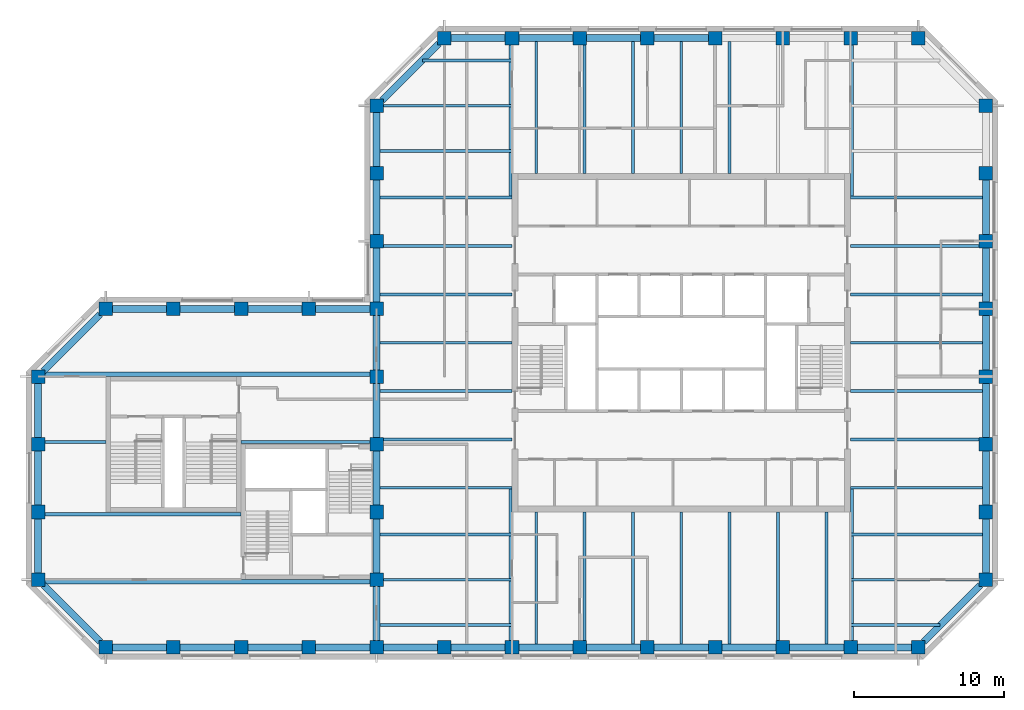
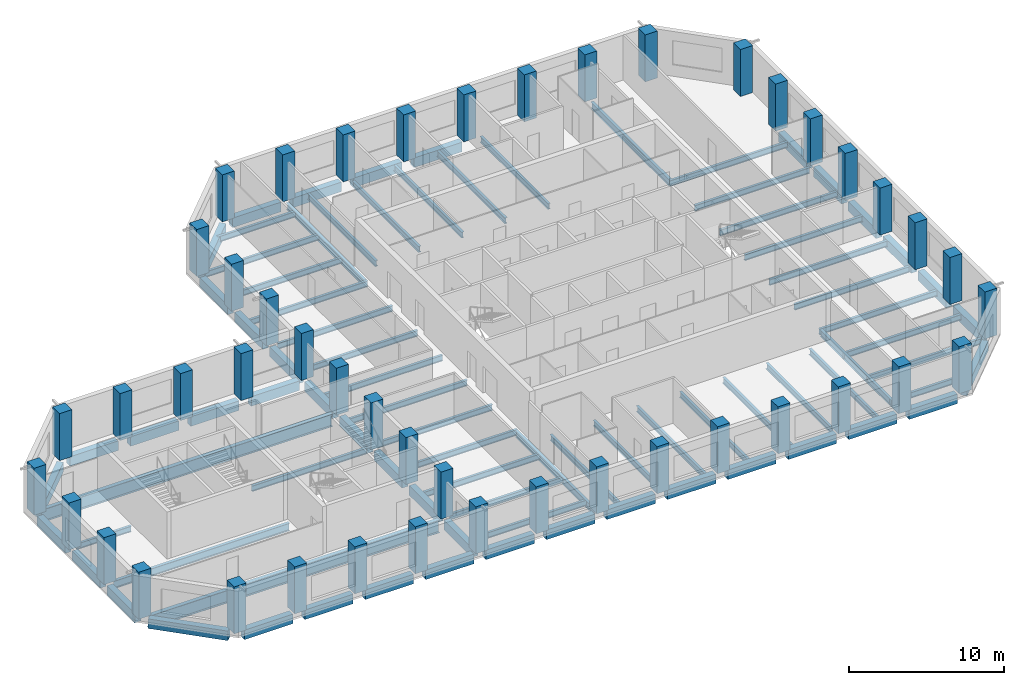
# One storey, part 1 of 9: 85 beams, 45 columns.
"""IFC4 building model written with IfcOpenShell, lengths in metres."""

from ifc_helpers import new_model, si_unit, direction, frame, origin, origin_2d, place, context, subcontext, project, spatial, rectangle, i_section, extrude, material, material_profile, profile_set, type_object, element, save


model = new_model("IFC4")

# Units and contexts
model_context = context("Model", 3, precision=1e-05, world=origin(), true_north=direction((0.0, 1.0)))
body_context = subcontext(model_context, "Body", "Model", "MODEL_VIEW")
ifc_project = project(units=[si_unit("LENGTHUNIT", "METRE"), si_unit("AREAUNIT", "SQUARE_METRE"), si_unit("VOLUMEUNIT", "CUBIC_METRE"), si_unit("PLANEANGLEUNIT", "RADIAN"), si_unit("MASSUNIT", "GRAM", prefix="KILO")], contexts=[model_context])

# Site, building, storey
site_placement = place(None, origin())
site = spatial("IfcSite", under=ifc_project, at=site_placement, CompositionType="ELEMENT")
building_placement = place(site_placement, origin())
building = spatial("IfcBuilding", under=site, at=building_placement, Name="Quoin Convention Tower", CompositionType="ELEMENT")
storey_placement = place(building_placement, frame((0.0, 0.0, 155.10009765625)))
storey = spatial("IfcBuildingStorey", under=building, at=storey_placement, Name="L40", CompositionType="ELEMENT", Elevation=155.10009765625)

# Columns
ifc_material_1 = material(Name="Concrete C50", Category="concrete")
ifc_material_profile_1 = material_profile(ifc_material_1, rectangle(XDim=0.89990234375, YDim=0.89990234375, at=origin_2d()), Name="RC 900x900")
ifc_profile_set_1 = profile_set([ifc_material_profile_1], Name="Concrete C50")
column_type = type_object("IfcColumnType", Name="RC 900x900 C50", PredefinedType="COLUMN", material=ifc_profile_set_1)
for number, where, z_axis, x_axis, name in (
    (1, (18.0, 40.5, 0.0), (0.0, 0.0, 1.0), (1.0, 0.0, 0.0), "col-L40-18000_40500"),
    (2, (22.5, 40.5, 0.0), (0.0, 0.0, 1.0), (1.0, 0.0, 0.0), "col-L40-22500_40500"),
    (3, (27.0, 40.5, 0.0), (0.0, 0.0, 1.0), (1.0, 0.0, 0.0), "col-L40-27000_40500"),
    (4, (31.5, 40.5, 0.0), (0.0, 0.0, 1.0), (1.0, 0.0, 0.0), "col-L40-31500_40500"),
    (5, (36.0, 40.5, 0.0), (0.0, 0.0, 1.0), (1.0, 0.0, 0.0), "col-L40-36000_40500"),
    (6, (40.5, 40.5, 0.0), (0.0, 0.0, 1.0), (1.0, 0.0, 0.0), "col-L40-40500_40500"),
    (7, (45.0, 40.5, 0.0), (0.0, 0.0, 1.0), (1.0, 0.0, 0.0), "col-L40-45000_40500"),
    (8, (49.5, 40.5, 0.0), (0.0, 0.0, 1.0), (1.0, 0.0, 0.0), "col-L40-49500_40500"),
    (9, (54.0, 40.5, 0.0), (0.0, 0.0, 1.0), (1.0, 0.0, 0.0), "col-L40-54000_40500"),
    (10, (58.5, 40.5, 0.0), (0.0, 0.0, 1.0), (1.0, 0.0, 0.0), "col-L40-58500_40500"),
    (11, (63.0, 40.5, 0.0), (0.0, 0.0, 1.0), (1.0, 0.0, 0.0), "col-L40-63000_40500"),
    (12, (67.5, 40.5, 0.0), (0.0, 0.0, 1.0), (1.0, 0.0, 0.0), "col-L40-67500_40500"),
    (13, (72.0, 40.5, 0.0), (0.0, 0.0, 1.0), (1.0, 0.0, 0.0), "col-L40-72000_40500"),
    (14, (13.5, 45.0, 0.0), (0.0, 0.0, 1.0), (1.0, 0.0, 0.0), "col-L40-13500_45000"),
    (15, (36.0, 45.0, 0.0), (0.0, 0.0, 1.0), (1.0, 0.0, 0.0), "web-L40-36000_45000"),
    (16, (76.5, 45.0, 0.0), (0.0, 0.0, 1.0), (1.0, 0.0, 0.0), "col-L40-76500_45000"),
    (17, (13.5, 49.5, 0.0), (0.0, 0.0, 1.0), (1.0, 0.0, 0.0), "col-L40-13500_49500"),
    (18, (36.0, 49.5, 0.0), (0.0, 0.0, 1.0), (1.0, 0.0, 0.0), "web-L40-36000_49500"),
    (19, (76.5, 49.5, 0.0), (0.0, 0.0, 1.0), (1.0, 0.0, 0.0), "col-L40-76500_49500"),
    (20, (13.5, 54.0, 0.0), (0.0, 0.0, 1.0), (1.0, 0.0, 0.0), "col-L40-13500_54000"),
    (21, (36.0, 54.0, 0.0), (0.0, 0.0, 1.0), (1.0, 0.0, 0.0), "web-L40-36000_54000"),
    (22, (76.5, 54.0, 0.0), (0.0, 0.0, 1.0), (1.0, 0.0, 0.0), "col-L40-76500_54000"),
    (23, (13.5, 58.5, 0.0), (0.0, 0.0, 1.0), (1.0, 0.0, 0.0), "col-L40-13500_58500"),
    (24, (36.0, 58.5, 0.0), (0.0, 0.0, 1.0), (1.0, 0.0, 0.0), "web-L40-36000_58500"),
    (25, (76.5, 58.5, 0.0), (0.0, 0.0, 1.0), (1.0, 0.0, 0.0), "col-L40-76500_58500"),
    (26, (18.0, 63.0, 0.0), (0.0, 0.0, 1.0), (1.0, 0.0, 0.0), "col-L40-18000_63000"),
    (27, (22.5, 63.0, 0.0), (0.0, 0.0, 1.0), (1.0, 0.0, 0.0), "col-L40-22500_63000"),
    (28, (27.0, 63.0, 0.0), (0.0, 0.0, 1.0), (1.0, 0.0, 0.0), "col-L40-27000_63000"),
    (29, (31.5, 63.0, 0.0), (0.0, 0.0, 1.0), (1.0, 0.0, 0.0), "col-L40-31500_63000"),
    (30, (36.0, 63.0, 0.0), (0.0, 0.0, 1.0), (1.0, 0.0, 0.0), "col-L40-36000_63000"),
    (31, (76.5, 63.0, 0.0), (0.0, 0.0, 1.0), (1.0, 0.0, 0.0), "col-L40-76500_63000"),
    (32, (36.0, 67.5, 0.0), (0.0, 0.0, 1.0), (1.0, 0.0, 0.0), "col-L40-36000_67500"),
    (33, (76.5, 67.5, 0.0), (0.0, 0.0, 1.0), (1.0, 0.0, 0.0), "col-L40-76500_67500"),
    (34, (36.0, 72.0, 0.0), (0.0, 0.0, 1.0), (1.0, 0.0, 0.0), "col-L40-36000_72000"),
    (35, (76.5, 72.0, 0.0), (0.0, 0.0, 1.0), (1.0, 0.0, 0.0), "col-L40-76500_72000"),
    (36, (36.0, 76.5, 0.0), (0.0, 0.0, 1.0), (1.0, 0.0, 0.0), "col-L40-36000_76500"),
    (37, (76.5, 76.5, 0.0), (0.0, 0.0, 1.0), (1.0, 0.0, 0.0), "col-L40-76500_76500"),
    (38, (40.5, 81.0, 0.0), (0.0, 0.0, 1.0), (1.0, 0.0, 0.0), "col-L40-40500_81000"),
    (39, (45.0, 81.0, 0.0), (0.0, 0.0, 1.0), (1.0, 0.0, 0.0), "col-L40-45000_81000"),
    (40, (49.5, 81.0, 0.0), (0.0, 0.0, 1.0), (1.0, 0.0, 0.0), "col-L40-49500_81000"),
    (41, (54.0, 81.0, 0.0), (0.0, 0.0, 1.0), (1.0, 0.0, 0.0), "col-L40-54000_81000"),
    (42, (58.5, 81.0, 0.0), (0.0, 0.0, 1.0), (1.0, 0.0, 0.0), "col-L40-58500_81000"),
    (43, (63.0, 81.0, 0.0), (0.0, 0.0, 1.0), (1.0, 0.0, 0.0), "col-L40-63000_81000"),
    (44, (67.5, 81.0, 0.0), (0.0, 0.0, 1.0), (1.0, 0.0, 0.0), "col-L40-67500_81000"),
    (45, (72.0, 81.0, 0.0), (0.0, 0.0, 1.0), (1.0, 0.0, 0.0), "col-L40-72000_81000"),
):
    element("IfcColumn", number, at=place(storey_placement, frame(where, z_axis=z_axis, x_axis=x_axis)), inside=storey, type_object=column_type, Name=name, PredefinedType="COLUMN", context=body_context, shape_type="SweptSolid", body=[
        extrude(rectangle(XDim=0.89990234375, YDim=0.89990234375, at=origin_2d()), origin(), (0.0, 0.0, 1.0), 3.699951171875),
    ])

# Beams
ifc_material_2 = material(Name="Steel Grade 300", Category="steel")
ifc_material_profile_2 = material_profile(ifc_material_2, i_section(OverallWidth=0.300048828125, OverallDepth=1.0, WebThickness=0.01611328125, FlangeThickness=0.02001953125, at=origin_2d()), Name="1000WB215")
ifc_profile_set_2 = profile_set([ifc_material_profile_2], Name="Steel Grade 300")
beam_type_1 = type_object("IfcBeamType", Name="1000WB215", PredefinedType="BEAM", material=ifc_profile_set_2)
for number, where, z_axis, x_axis, name in (
    (46, (13.949951171875, 44.85009765625, -0.650146484375), (1.0, 0.0, 0.0), (0.0, 1.0, 0.0), "gir-L40-ST2-1-0"),
    (47, (13.949951171875, 58.64990234375, -0.650146484375), (1.0, 0.0, 0.0), (0.0, 1.0, 0.0), "gir-L40-ST2-4-0"),
):
    element("IfcBeam", number, at=place(storey_placement, frame(where, z_axis=z_axis, x_axis=x_axis)), inside=storey, type_object=beam_type_1, Name=name, PredefinedType="BEAM", context=body_context, shape_type="SweptSolid", body=[
        extrude(i_section(OverallWidth=0.300048828125, OverallDepth=1.0, WebThickness=0.01611328125, FlangeThickness=0.02001953125, at=origin_2d()), origin(), (0.0, 0.0, 1.0), 21.60009765625),
    ])
ifc_material_profile_3 = material_profile(ifc_material_2, i_section(OverallWidth=0.18994140625, OverallDepth=0.4541015625, WebThickness=0.008544921875, FlangeThickness=0.0126953125, FilletRadius=0.011474609375, at=origin_2d()), Name="460UB67.1")
ifc_profile_set_3 = profile_set([ifc_material_profile_3], Name="Steel Grade 300")
beam_type_2 = type_object("IfcBeamType", Name="460UB67.1", PredefinedType="BEAM", material=ifc_profile_set_3)
beam_1_placement = place(storey_placement, frame((36.22509765625, 51.107177734375, -0.377197265625), z_axis=(1.0, 0.0, 0.0), x_axis=(0.0, 1.0, 0.0)))
element("IfcBeam", 48, at=beam_1_placement, inside=storey, type_object=beam_type_2, Name="bm-L40-T1W0", PredefinedType="BEAM", context=body_context, shape_type="SweptSolid", body=[
    extrude(i_section(OverallWidth=0.18994140625, OverallDepth=0.4541015625, WebThickness=0.008544921875, FlangeThickness=0.0126953125, FilletRadius=0.011474609375, at=origin_2d()), origin(), (0.0, 0.0, 1.0), 8.77490234375),
])
beam_2_placement = place(storey_placement, frame((36.449951171875, 54.3212890625, -0.377197265625), z_axis=(1.0, 0.0, 0.0), x_axis=(0.0, 1.0, 0.0)))
element("IfcBeam", 49, at=beam_2_placement, inside=storey, type_object=beam_type_2, Name="bm-L40-T1W1", PredefinedType="BEAM", context=body_context, shape_type="SweptSolid", body=[
    extrude(i_section(OverallWidth=0.18994140625, OverallDepth=0.4541015625, WebThickness=0.008544921875, FlangeThickness=0.0126953125, FilletRadius=0.011474609375, at=origin_2d()), origin(), (0.0, 0.0, 1.0), 8.550048828125),
])
for number, where, z_axis, x_axis, name in (
    (50, (36.22509765625, 57.53564453125, -0.377197265625), (1.0, 0.0, 0.0), (0.0, 1.0, 0.0), "bm-L40-T1W2"),
    (51, (36.22509765625, 60.75, -0.377197265625), (1.0, 0.0, 0.0), (0.0, 1.0, 0.0), "bm-L40-T1W3"),
    (52, (36.22509765625, 63.96435546875, -0.377197265625), (1.0, 0.0, 0.0), (0.0, 1.0, 0.0), "bm-L40-T1W4"),
):
    element("IfcBeam", number, at=place(storey_placement, frame(where, z_axis=z_axis, x_axis=x_axis)), inside=storey, type_object=beam_type_2, Name=name, PredefinedType="BEAM", context=body_context, shape_type="SweptSolid", body=[
        extrude(i_section(OverallWidth=0.18994140625, OverallDepth=0.4541015625, WebThickness=0.008544921875, FlangeThickness=0.0126953125, FilletRadius=0.011474609375, at=origin_2d()), origin(), (0.0, 0.0, 1.0), 8.77490234375),
    ])
beam_3_placement = place(storey_placement, frame((36.449951171875, 67.1787109375, -0.377197265625), z_axis=(1.0, 0.0, 0.0), x_axis=(0.0, 1.0, 0.0)))
element("IfcBeam", 53, at=beam_3_placement, inside=storey, type_object=beam_type_2, Name="bm-L40-T1W5", PredefinedType="BEAM", context=body_context, shape_type="SweptSolid", body=[
    extrude(i_section(OverallWidth=0.18994140625, OverallDepth=0.4541015625, WebThickness=0.008544921875, FlangeThickness=0.0126953125, FilletRadius=0.011474609375, at=origin_2d()), origin(), (0.0, 0.0, 1.0), 8.550048828125),
])
for number, where, z_axis, x_axis, name in (
    (54, (36.22509765625, 70.392822265625, -0.377197265625), (1.0, 0.0, 0.0), (0.0, 1.0, 0.0), "bm-L40-T1W6"),
    (55, (67.5, 51.107177734375, -0.377197265625), (1.0, 0.0, 0.0), (0.0, 1.0, 0.0), "bm-L40-T1E0"),
):
    element("IfcBeam", number, at=place(storey_placement, frame(where, z_axis=z_axis, x_axis=x_axis)), inside=storey, type_object=beam_type_2, Name=name, PredefinedType="BEAM", context=body_context, shape_type="SweptSolid", body=[
        extrude(i_section(OverallWidth=0.18994140625, OverallDepth=0.4541015625, WebThickness=0.008544921875, FlangeThickness=0.0126953125, FilletRadius=0.011474609375, at=origin_2d()), origin(), (0.0, 0.0, 1.0), 8.77490234375),
    ])
beam_4_placement = place(storey_placement, frame((67.5, 54.3212890625, -0.377197265625), z_axis=(1.0, 0.0, 0.0), x_axis=(0.0, 1.0, 0.0)))
element("IfcBeam", 56, at=beam_4_placement, inside=storey, type_object=beam_type_2, Name="bm-L40-T1E1", PredefinedType="BEAM", context=body_context, shape_type="SweptSolid", body=[
    extrude(i_section(OverallWidth=0.18994140625, OverallDepth=0.4541015625, WebThickness=0.008544921875, FlangeThickness=0.0126953125, FilletRadius=0.011474609375, at=origin_2d()), origin(), (0.0, 0.0, 1.0), 8.550048828125),
])
for number, where, z_axis, x_axis, name in (
    (57, (67.5, 57.53564453125, -0.377197265625), (1.0, 0.0, 0.0), (0.0, 1.0, 0.0), "bm-L40-T1E2"),
    (58, (67.5, 60.75, -0.377197265625), (1.0, 0.0, 0.0), (0.0, 1.0, 0.0), "bm-L40-T1E3"),
    (59, (67.5, 63.96435546875, -0.377197265625), (1.0, 0.0, 0.0), (0.0, 1.0, 0.0), "bm-L40-T1E4"),
):
    element("IfcBeam", number, at=place(storey_placement, frame(where, z_axis=z_axis, x_axis=x_axis)), inside=storey, type_object=beam_type_2, Name=name, PredefinedType="BEAM", context=body_context, shape_type="SweptSolid", body=[
        extrude(i_section(OverallWidth=0.18994140625, OverallDepth=0.4541015625, WebThickness=0.008544921875, FlangeThickness=0.0126953125, FilletRadius=0.011474609375, at=origin_2d()), origin(), (0.0, 0.0, 1.0), 8.77490234375),
    ])
beam_5_placement = place(storey_placement, frame((67.5, 67.1787109375, -0.377197265625), z_axis=(1.0, 0.0, 0.0), x_axis=(0.0, 1.0, 0.0)))
element("IfcBeam", 60, at=beam_5_placement, inside=storey, type_object=beam_type_2, Name="bm-L40-T1E5", PredefinedType="BEAM", context=body_context, shape_type="SweptSolid", body=[
    extrude(i_section(OverallWidth=0.18994140625, OverallDepth=0.4541015625, WebThickness=0.008544921875, FlangeThickness=0.0126953125, FilletRadius=0.011474609375, at=origin_2d()), origin(), (0.0, 0.0, 1.0), 8.550048828125),
])
for number, where, z_axis, x_axis, name in (
    (61, (67.5, 70.392822265625, -0.377197265625), (1.0, 0.0, 0.0), (0.0, 1.0, 0.0), "bm-L40-T1E6"),
    (62, (46.607177734375, 40.72509765625, -0.377197265625), (0.0, 1.0, 0.0), (-1.0, 0.0, 0.0), "bm-L40-T1S0"),
):
    element("IfcBeam", number, at=place(storey_placement, frame(where, z_axis=z_axis, x_axis=x_axis)), inside=storey, type_object=beam_type_2, Name=name, PredefinedType="BEAM", context=body_context, shape_type="SweptSolid", body=[
        extrude(i_section(OverallWidth=0.18994140625, OverallDepth=0.4541015625, WebThickness=0.008544921875, FlangeThickness=0.0126953125, FilletRadius=0.011474609375, at=origin_2d()), origin(), (0.0, 0.0, 1.0), 8.77490234375),
    ])
beam_6_placement = place(storey_placement, frame((49.8212890625, 40.949951171875, -0.377197265625), z_axis=(0.0, 1.0, 0.0), x_axis=(-1.0, 0.0, 0.0)))
element("IfcBeam", 63, at=beam_6_placement, inside=storey, type_object=beam_type_2, Name="bm-L40-T1S1", PredefinedType="BEAM", context=body_context, shape_type="SweptSolid", body=[
    extrude(i_section(OverallWidth=0.18994140625, OverallDepth=0.4541015625, WebThickness=0.008544921875, FlangeThickness=0.0126953125, FilletRadius=0.011474609375, at=origin_2d()), origin(), (0.0, 0.0, 1.0), 8.550048828125),
])
for number, where, z_axis, x_axis, name in (
    (64, (53.03564453125, 40.72509765625, -0.377197265625), (0.0, 1.0, 0.0), (-1.0, 0.0, 0.0), "bm-L40-T1S2"),
    (65, (56.25, 40.72509765625, -0.377197265625), (0.0, 1.0, 0.0), (-1.0, 0.0, 0.0), "bm-L40-T1S3"),
    (66, (59.46435546875, 40.72509765625, -0.377197265625), (0.0, 1.0, 0.0), (-1.0, 0.0, 0.0), "bm-L40-T1S4"),
):
    element("IfcBeam", number, at=place(storey_placement, frame(where, z_axis=z_axis, x_axis=x_axis)), inside=storey, type_object=beam_type_2, Name=name, PredefinedType="BEAM", context=body_context, shape_type="SweptSolid", body=[
        extrude(i_section(OverallWidth=0.18994140625, OverallDepth=0.4541015625, WebThickness=0.008544921875, FlangeThickness=0.0126953125, FilletRadius=0.011474609375, at=origin_2d()), origin(), (0.0, 0.0, 1.0), 8.77490234375),
    ])
beam_7_placement = place(storey_placement, frame((62.6787109375, 40.949951171875, -0.377197265625), z_axis=(0.0, 1.0, 0.0), x_axis=(-1.0, 0.0, 0.0)))
element("IfcBeam", 67, at=beam_7_placement, inside=storey, type_object=beam_type_2, Name="bm-L40-T1S5", PredefinedType="BEAM", context=body_context, shape_type="SweptSolid", body=[
    extrude(i_section(OverallWidth=0.18994140625, OverallDepth=0.4541015625, WebThickness=0.008544921875, FlangeThickness=0.0126953125, FilletRadius=0.011474609375, at=origin_2d()), origin(), (0.0, 0.0, 1.0), 8.550048828125),
])
for number, where, z_axis, x_axis, name in (
    (68, (65.892822265625, 40.72509765625, -0.377197265625), (0.0, 1.0, 0.0), (-1.0, 0.0, 0.0), "bm-L40-T1S6"),
    (69, (46.607177734375, 72.0, -0.377197265625), (0.0, 1.0, 0.0), (-1.0, 0.0, 0.0), "bm-L40-T1N0"),
):
    element("IfcBeam", number, at=place(storey_placement, frame(where, z_axis=z_axis, x_axis=x_axis)), inside=storey, type_object=beam_type_2, Name=name, PredefinedType="BEAM", context=body_context, shape_type="SweptSolid", body=[
        extrude(i_section(OverallWidth=0.18994140625, OverallDepth=0.4541015625, WebThickness=0.008544921875, FlangeThickness=0.0126953125, FilletRadius=0.011474609375, at=origin_2d()), origin(), (0.0, 0.0, 1.0), 8.77490234375),
    ])
beam_8_placement = place(storey_placement, frame((49.8212890625, 72.0, -0.377197265625), z_axis=(0.0, 1.0, 0.0), x_axis=(-1.0, 0.0, 0.0)))
element("IfcBeam", 70, at=beam_8_placement, inside=storey, type_object=beam_type_2, Name="bm-L40-T1N1", PredefinedType="BEAM", context=body_context, shape_type="SweptSolid", body=[
    extrude(i_section(OverallWidth=0.18994140625, OverallDepth=0.4541015625, WebThickness=0.008544921875, FlangeThickness=0.0126953125, FilletRadius=0.011474609375, at=origin_2d()), origin(), (0.0, 0.0, 1.0), 8.550048828125),
])
for number, where, z_axis, x_axis, name in (
    (71, (53.03564453125, 72.0, -0.377197265625), (0.0, 1.0, 0.0), (-1.0, 0.0, 0.0), "bm-L40-T1N2"),
    (72, (56.25, 72.0, -0.377197265625), (0.0, 1.0, 0.0), (-1.0, 0.0, 0.0), "bm-L40-T1N3"),
    (73, (59.46435546875, 72.0, -0.377197265625), (0.0, 1.0, 0.0), (-1.0, 0.0, 0.0), "bm-L40-T1N4"),
    (74, (36.22509765625, 42.0, -0.377197265625), (1.0, 0.0, 0.0), (0.0, 1.0, 0.0), "bm-L40-T1SW0"),
):
    element("IfcBeam", number, at=place(storey_placement, frame(where, z_axis=z_axis, x_axis=x_axis)), inside=storey, type_object=beam_type_2, Name=name, PredefinedType="BEAM", context=body_context, shape_type="SweptSolid", body=[
        extrude(i_section(OverallWidth=0.18994140625, OverallDepth=0.4541015625, WebThickness=0.008544921875, FlangeThickness=0.0126953125, FilletRadius=0.011474609375, at=origin_2d()), origin(), (0.0, 0.0, 1.0), 8.77490234375),
    ])
beam_9_placement = place(storey_placement, frame((36.449951171875, 45.0, -0.377197265625), z_axis=(1.0, 0.0, 0.0), x_axis=(0.0, 1.0, 0.0)))
element("IfcBeam", 75, at=beam_9_placement, inside=storey, type_object=beam_type_2, Name="bm-L40-T1SW1", PredefinedType="BEAM", context=body_context, shape_type="SweptSolid", body=[
    extrude(i_section(OverallWidth=0.18994140625, OverallDepth=0.4541015625, WebThickness=0.008544921875, FlangeThickness=0.0126953125, FilletRadius=0.011474609375, at=origin_2d()), origin(), (0.0, 0.0, 1.0), 8.550048828125),
])
beam_10_placement = place(storey_placement, frame((36.22509765625, 48.0, -0.377197265625), z_axis=(1.0, 0.0, 0.0), x_axis=(0.0, 1.0, 0.0)))
element("IfcBeam", 76, at=beam_10_placement, inside=storey, type_object=beam_type_2, Name="bm-L40-T1SW2", PredefinedType="BEAM", context=body_context, shape_type="SweptSolid", body=[
    extrude(i_section(OverallWidth=0.18994140625, OverallDepth=0.4541015625, WebThickness=0.008544921875, FlangeThickness=0.0126953125, FilletRadius=0.011474609375, at=origin_2d()), origin(), (0.0, 0.0, 1.0), 8.77490234375),
])
beam_11_placement = place(storey_placement, frame((67.5, 42.0, -0.377197265625), z_axis=(1.0, 0.0, 0.0), x_axis=(0.0, 1.0, 0.0)))
element("IfcBeam", 77, at=beam_11_placement, inside=storey, type_object=beam_type_2, Name="bm-L40-T1SE0", PredefinedType="BEAM", context=body_context, shape_type="SweptSolid", body=[
    extrude(i_section(OverallWidth=0.18994140625, OverallDepth=0.4541015625, WebThickness=0.008544921875, FlangeThickness=0.0126953125, FilletRadius=0.011474609375, at=origin_2d()), origin(), (0.0, 0.0, 1.0), 5.935791015625),
])
beam_12_placement = place(storey_placement, frame((67.5, 45.0, -0.377197265625), z_axis=(1.0, 0.0, 0.0), x_axis=(0.0, 1.0, 0.0)))
element("IfcBeam", 78, at=beam_12_placement, inside=storey, type_object=beam_type_2, Name="bm-L40-T1SE1", PredefinedType="BEAM", context=body_context, shape_type="SweptSolid", body=[
    extrude(i_section(OverallWidth=0.18994140625, OverallDepth=0.4541015625, WebThickness=0.008544921875, FlangeThickness=0.0126953125, FilletRadius=0.011474609375, at=origin_2d()), origin(), (0.0, 0.0, 1.0), 8.550048828125),
])
beam_13_placement = place(storey_placement, frame((67.5, 48.0, -0.377197265625), z_axis=(1.0, 0.0, 0.0), x_axis=(0.0, 1.0, 0.0)))
element("IfcBeam", 79, at=beam_13_placement, inside=storey, type_object=beam_type_2, Name="bm-L40-T1SE2", PredefinedType="BEAM", context=body_context, shape_type="SweptSolid", body=[
    extrude(i_section(OverallWidth=0.18994140625, OverallDepth=0.4541015625, WebThickness=0.008544921875, FlangeThickness=0.0126953125, FilletRadius=0.011474609375, at=origin_2d()), origin(), (0.0, 0.0, 1.0), 8.77490234375),
])
beam_14_placement = place(storey_placement, frame((39.064208984375, 79.5, -0.377197265625), z_axis=(1.0, 0.0, 0.0), x_axis=(0.0, 1.0, 0.0)))
element("IfcBeam", 80, at=beam_14_placement, inside=storey, type_object=beam_type_2, Name="bm-L40-T1NW0", PredefinedType="BEAM", context=body_context, shape_type="SweptSolid", body=[
    extrude(i_section(OverallWidth=0.18994140625, OverallDepth=0.4541015625, WebThickness=0.008544921875, FlangeThickness=0.0126953125, FilletRadius=0.011474609375, at=origin_2d()), origin(), (0.0, 0.0, 1.0), 5.935791015625),
])
beam_15_placement = place(storey_placement, frame((36.449951171875, 76.5, -0.377197265625), z_axis=(1.0, 0.0, 0.0), x_axis=(0.0, 1.0, 0.0)))
element("IfcBeam", 81, at=beam_15_placement, inside=storey, type_object=beam_type_2, Name="bm-L40-T1NW1", PredefinedType="BEAM", context=body_context, shape_type="SweptSolid", body=[
    extrude(i_section(OverallWidth=0.18994140625, OverallDepth=0.4541015625, WebThickness=0.008544921875, FlangeThickness=0.0126953125, FilletRadius=0.011474609375, at=origin_2d()), origin(), (0.0, 0.0, 1.0), 8.550048828125),
])
beam_16_placement = place(storey_placement, frame((36.22509765625, 73.5, -0.377197265625), z_axis=(1.0, 0.0, 0.0), x_axis=(0.0, 1.0, 0.0)))
element("IfcBeam", 82, at=beam_16_placement, inside=storey, type_object=beam_type_2, Name="bm-L40-T1NW2", PredefinedType="BEAM", context=body_context, shape_type="SweptSolid", body=[
    extrude(i_section(OverallWidth=0.18994140625, OverallDepth=0.4541015625, WebThickness=0.008544921875, FlangeThickness=0.0126953125, FilletRadius=0.011474609375, at=origin_2d()), origin(), (0.0, 0.0, 1.0), 8.77490234375),
])
beam_17_placement = place(storey_placement, frame((13.949951171875, 54.14990234375, -0.377197265625), z_axis=(1.0, 0.0, 0.0), x_axis=(0.0, 1.0, 0.0)))
element("IfcBeam", 83, at=beam_17_placement, inside=storey, type_object=beam_type_2, Name="gir-L40-ST2-3-0", PredefinedType="BEAM", context=body_context, shape_type="SweptSolid", body=[
    extrude(i_section(OverallWidth=0.18994140625, OverallDepth=0.4541015625, WebThickness=0.008544921875, FlangeThickness=0.0126953125, FilletRadius=0.011474609375, at=origin_2d()), origin(), (0.0, 0.0, 1.0), 4.050048828125),
])
beam_18_placement = place(storey_placement, frame((27.0, 54.14990234375, -0.377197265625), z_axis=(1.0, 0.0, 0.0), x_axis=(0.0, 1.0, 0.0)))
element("IfcBeam", 84, at=beam_18_placement, inside=storey, type_object=beam_type_2, Name="gir-L40-ST2-3-1", PredefinedType="BEAM", context=body_context, shape_type="SweptSolid", body=[
    extrude(i_section(OverallWidth=0.18994140625, OverallDepth=0.4541015625, WebThickness=0.008544921875, FlangeThickness=0.0126953125, FilletRadius=0.011474609375, at=origin_2d()), origin(), (0.0, 0.0, 1.0), 8.550048828125),
])
ifc_material_profile_4 = material_profile(ifc_material_2, i_section(OverallWidth=0.208984375, OverallDepth=0.528076171875, WebThickness=0.009521484375, FlangeThickness=0.01318359375, FilletRadius=0.013916015625, at=origin_2d()), Name="530UB82.0")
ifc_profile_set_4 = profile_set([ifc_material_profile_4], Name="Steel Grade 300")
beam_type_3 = type_object("IfcBeamType", Name="530UB82.0", PredefinedType="BEAM", material=ifc_profile_set_4)
for number, where, z_axis, x_axis, name in (
    (85, (44.904541015625, 40.949951171875, -0.4140625), (0.0, 1.0, 0.0), (-1.0, 0.0, 0.0), "gir-L40-T1SW"),
    (86, (67.595458984375, 40.949951171875, -0.4140625), (0.0, 1.0, 0.0), (-1.0, 0.0, 0.0), "gir-L40-T1SE"),
    (87, (44.904541015625, 80.550048828125, -0.4140625), (0.0, -1.0, 0.0), (1.0, 0.0, 0.0), "gir-L40-T1NW"),
    (88, (67.595458984375, 80.550048828125, -0.4140625), (0.0, -1.0, 0.0), (1.0, 0.0, 0.0), "gir-L40-T1NE"),
):
    element("IfcBeam", number, at=place(storey_placement, frame(where, z_axis=z_axis, x_axis=x_axis)), inside=storey, type_object=beam_type_3, Name=name, PredefinedType="BEAM", context=body_context, shape_type="SweptSolid", body=[
        extrude(i_section(OverallWidth=0.208984375, OverallDepth=0.528076171875, WebThickness=0.009521484375, FlangeThickness=0.01318359375, FilletRadius=0.013916015625, at=origin_2d()), origin(), (0.0, 0.0, 1.0), 10.062255859375),
    ])
ifc_material_profile_5 = material_profile(ifc_material_2, i_section(OverallWidth=0.22802734375, OverallDepth=0.60205078125, WebThickness=0.010498046875, FlangeThickness=0.014892578125, FilletRadius=0.013916015625, at=origin_2d()), Name="610UB101")
ifc_profile_set_5 = profile_set([ifc_material_profile_5], Name="Steel Grade 300")
beam_type_4 = type_object("IfcBeamType", Name="610UB101", PredefinedType="BEAM", material=ifc_profile_set_5)
beam_19_placement = place(storey_placement, frame((13.949951171875, 49.35009765625, -0.451171875), z_axis=(1.0, 0.0, 0.0), x_axis=(0.0, 1.0, 0.0)))
element("IfcBeam", 89, at=beam_19_placement, inside=storey, type_object=beam_type_4, Name="gir-L40-ST2-2-0", PredefinedType="BEAM", context=body_context, shape_type="SweptSolid", body=[
    extrude(i_section(OverallWidth=0.22802734375, OverallDepth=0.60205078125, WebThickness=0.010498046875, FlangeThickness=0.014892578125, FilletRadius=0.013916015625, at=origin_2d()), origin(), (0.0, 0.0, 1.0), 13.050048828125),
])
ifc_material_profile_6 = material_profile(ifc_material_1, rectangle(XDim=0.449951171875, YDim=0.75, at=origin_2d()), Name="RC 450x750")
ifc_profile_set_6 = profile_set([ifc_material_profile_6], Name="Concrete C50")
beam_type_5 = type_object("IfcBeamType", Name="RC 450x750 C50", PredefinedType="SPANDREL", material=ifc_profile_set_6)
for number, where, z_axis, x_axis, name in (
    (90, (36.449951171875, 40.5, -0.525146484375), (1.0, 0.0, 0.0), (0.0, 1.0, 0.0), "spd-L40-36000_40500-40500_40500"),
    (91, (40.949951171875, 40.5, -0.525146484375), (1.0, 0.0, 0.0), (0.0, 1.0, 0.0), "spd-L40-40500_40500-45000_40500"),
    (92, (45.449951171875, 40.5, -0.525146484375), (1.0, 0.0, 0.0), (0.0, 1.0, 0.0), "spd-L40-45000_40500-49500_40500"),
    (93, (49.949951171875, 40.5, -0.525146484375), (1.0, 0.0, 0.0), (0.0, 1.0, 0.0), "spd-L40-49500_40500-54000_40500"),
    (94, (54.449951171875, 40.5, -0.525146484375), (1.0, 0.0, 0.0), (0.0, 1.0, 0.0), "spd-L40-54000_40500-58500_40500"),
    (95, (58.949951171875, 40.5, -0.525146484375), (1.0, 0.0, 0.0), (0.0, 1.0, 0.0), "spd-L40-58500_40500-63000_40500"),
    (96, (63.449951171875, 40.5, -0.525146484375), (1.0, 0.0, 0.0), (0.0, 1.0, 0.0), "spd-L40-63000_40500-67500_40500"),
    (97, (67.949951171875, 40.5, -0.525146484375), (1.0, 0.0, 0.0), (0.0, 1.0, 0.0), "spd-L40-67500_40500-72000_40500"),
):
    element("IfcBeam", number, at=place(storey_placement, frame(where, z_axis=z_axis, x_axis=x_axis)), inside=storey, type_object=beam_type_5, Name=name, PredefinedType="SPANDREL", context=body_context, shape_type="SweptSolid", body=[
        extrude(rectangle(XDim=0.449951171875, YDim=0.75, at=origin_2d()), origin(), (0.0, 0.0, 1.0), 3.60009765625),
    ])
beam_20_placement = place(storey_placement, frame((72.364990234375, 40.864990234375, -0.525146484375), z_axis=(0.707106781187, 0.707106781187, 0.0), x_axis=(-0.707106781187, 0.707106781187, 0.0)))
element("IfcBeam", 98, at=beam_20_placement, inside=storey, type_object=beam_type_5, Name="spd-L40-72000_40500-76500_45000", PredefinedType="SPANDREL", context=body_context, shape_type="SweptSolid", body=[
    extrude(rectangle(XDim=0.449951171875, YDim=0.75, at=origin_2d()), origin(), (0.0, 0.0, 1.0), 5.33154296875),
])
for number, where, z_axis, x_axis, name in (
    (99, (76.5, 45.449951171875, -0.525146484375), (0.0, 1.0, 0.0), (-1.0, 0.0, 0.0), "spd-L40-76500_45000-76500_49500"),
    (100, (76.5, 49.949951171875, -0.525146484375), (0.0, 1.0, 0.0), (-1.0, 0.0, 0.0), "spd-L40-76500_49500-76500_54000"),
    (101, (76.5, 54.449951171875, -0.525146484375), (0.0, 1.0, 0.0), (-1.0, 0.0, 0.0), "spd-L40-76500_54000-76500_58500"),
    (102, (76.5, 58.949951171875, -0.525146484375), (0.0, 1.0, 0.0), (-1.0, 0.0, 0.0), "spd-L40-76500_58500-76500_63000"),
    (103, (76.5, 63.449951171875, -0.525146484375), (0.0, 1.0, 0.0), (-1.0, 0.0, 0.0), "spd-L40-76500_63000-76500_67500"),
    (104, (76.5, 67.949951171875, -0.525146484375), (0.0, 1.0, 0.0), (-1.0, 0.0, 0.0), "spd-L40-76500_67500-76500_72000"),
    (105, (58.050048828125, 81.0, -0.525146484375), (-1.0, 0.0, 0.0), (0.0, -1.0, 0.0), "spd-L40-58500_81000-54000_81000"),
    (106, (53.550048828125, 81.0, -0.525146484375), (-1.0, 0.0, 0.0), (0.0, -1.0, 0.0), "spd-L40-54000_81000-49500_81000"),
    (107, (49.050048828125, 81.0, -0.525146484375), (-1.0, 0.0, 0.0), (0.0, -1.0, 0.0), "spd-L40-49500_81000-45000_81000"),
    (108, (44.550048828125, 81.0, -0.525146484375), (-1.0, 0.0, 0.0), (0.0, -1.0, 0.0), "spd-L40-45000_81000-40500_81000"),
):
    element("IfcBeam", number, at=place(storey_placement, frame(where, z_axis=z_axis, x_axis=x_axis)), inside=storey, type_object=beam_type_5, Name=name, PredefinedType="SPANDREL", context=body_context, shape_type="SweptSolid", body=[
        extrude(rectangle(XDim=0.449951171875, YDim=0.75, at=origin_2d()), origin(), (0.0, 0.0, 1.0), 3.60009765625),
    ])
beam_21_placement = place(storey_placement, frame((40.135009765625, 80.635009765625, -0.525146484375), z_axis=(-0.707106781187, -0.707106781187, 0.0), x_axis=(0.707106781187, -0.707106781187, 0.0)))
element("IfcBeam", 109, at=beam_21_placement, inside=storey, type_object=beam_type_5, Name="spd-L40-40500_81000-36000_76500", PredefinedType="SPANDREL", context=body_context, shape_type="SweptSolid", body=[
    extrude(rectangle(XDim=0.449951171875, YDim=0.75, at=origin_2d()), origin(), (0.0, 0.0, 1.0), 5.33154296875),
])
for number, where, z_axis, x_axis, name in (
    (110, (36.0, 76.050048828125, -0.525146484375), (0.0, -1.0, 0.0), (1.0, 0.0, 0.0), "spd-L40-36000_76500-36000_72000"),
    (111, (36.0, 71.550048828125, -0.525146484375), (0.0, -1.0, 0.0), (1.0, 0.0, 0.0), "spd-L40-36000_72000-36000_67500"),
    (112, (36.0, 67.050048828125, -0.525146484375), (0.0, -1.0, 0.0), (1.0, 0.0, 0.0), "spd-L40-36000_67500-36000_63000"),
    (113, (35.550048828125, 63.0, -0.525146484375), (-1.0, 0.0, 0.0), (0.0, -1.0, 0.0), "spd-L40-36000_63000-31500_63000"),
    (114, (31.050048828125, 63.0, -0.525146484375), (-1.0, 0.0, 0.0), (0.0, -1.0, 0.0), "spd-L40-31500_63000-27000_63000"),
    (115, (26.550048828125, 63.0, -0.525146484375), (-1.0, 0.0, 0.0), (0.0, -1.0, 0.0), "spd-L40-27000_63000-22500_63000"),
    (116, (22.050048828125, 63.0, -0.525146484375), (-1.0, 0.0, 0.0), (0.0, -1.0, 0.0), "spd-L40-22500_63000-18000_63000"),
):
    element("IfcBeam", number, at=place(storey_placement, frame(where, z_axis=z_axis, x_axis=x_axis)), inside=storey, type_object=beam_type_5, Name=name, PredefinedType="SPANDREL", context=body_context, shape_type="SweptSolid", body=[
        extrude(rectangle(XDim=0.449951171875, YDim=0.75, at=origin_2d()), origin(), (0.0, 0.0, 1.0), 3.60009765625),
    ])
beam_22_placement = place(storey_placement, frame((17.635009765625, 62.635009765625, -0.525146484375), z_axis=(-0.707106781187, -0.707106781187, 0.0), x_axis=(0.707106781187, -0.707106781187, 0.0)))
element("IfcBeam", 117, at=beam_22_placement, inside=storey, type_object=beam_type_5, Name="spd-L40-18000_63000-13500_58500", PredefinedType="SPANDREL", context=body_context, shape_type="SweptSolid", body=[
    extrude(rectangle(XDim=0.449951171875, YDim=0.75, at=origin_2d()), origin(), (0.0, 0.0, 1.0), 5.33154296875),
])
for number, where, z_axis, x_axis, name in (
    (118, (13.5, 58.050048828125, -0.525146484375), (0.0, -1.0, 0.0), (1.0, 0.0, 0.0), "spd-L40-13500_58500-13500_54000"),
    (119, (13.5, 53.550048828125, -0.525146484375), (0.0, -1.0, 0.0), (1.0, 0.0, 0.0), "spd-L40-13500_54000-13500_49500"),
    (120, (13.5, 49.050048828125, -0.525146484375), (0.0, -1.0, 0.0), (1.0, 0.0, 0.0), "spd-L40-13500_49500-13500_45000"),
):
    element("IfcBeam", number, at=place(storey_placement, frame(where, z_axis=z_axis, x_axis=x_axis)), inside=storey, type_object=beam_type_5, Name=name, PredefinedType="SPANDREL", context=body_context, shape_type="SweptSolid", body=[
        extrude(rectangle(XDim=0.449951171875, YDim=0.75, at=origin_2d()), origin(), (0.0, 0.0, 1.0), 3.60009765625),
    ])
beam_23_placement = place(storey_placement, frame((13.864990234375, 44.635009765625, -0.525146484375), z_axis=(0.707106781187, -0.707106781187, 0.0), x_axis=(0.707106781187, 0.707106781187, 0.0)))
element("IfcBeam", 121, at=beam_23_placement, inside=storey, type_object=beam_type_5, Name="spd-L40-13500_45000-18000_40500", PredefinedType="SPANDREL", context=body_context, shape_type="SweptSolid", body=[
    extrude(rectangle(XDim=0.449951171875, YDim=0.75, at=origin_2d()), origin(), (0.0, 0.0, 1.0), 5.33154296875),
])
for number, where, z_axis, x_axis, name in (
    (122, (18.449951171875, 40.5, -0.525146484375), (1.0, 0.0, 0.0), (0.0, 1.0, 0.0), "spd-L40-18000_40500-22500_40500"),
    (123, (22.949951171875, 40.5, -0.525146484375), (1.0, 0.0, 0.0), (0.0, 1.0, 0.0), "spd-L40-22500_40500-27000_40500"),
    (124, (27.449951171875, 40.5, -0.525146484375), (1.0, 0.0, 0.0), (0.0, 1.0, 0.0), "spd-L40-27000_40500-31500_40500"),
    (125, (31.949951171875, 40.5, -0.525146484375), (1.0, 0.0, 0.0), (0.0, 1.0, 0.0), "spd-L40-31500_40500-36000_40500"),
    (126, (36.0, 40.949951171875, -0.525146484375), (0.0, 1.0, 0.0), (-1.0, 0.0, 0.0), "spd-L40-36000_40500-36000_45000"),
    (127, (36.0, 45.449951171875, -0.525146484375), (0.0, 1.0, 0.0), (-1.0, 0.0, 0.0), "spd-L40-36000_45000-36000_49500"),
    (128, (36.0, 49.949951171875, -0.525146484375), (0.0, 1.0, 0.0), (-1.0, 0.0, 0.0), "spd-L40-36000_49500-36000_54000"),
    (129, (36.0, 54.449951171875, -0.525146484375), (0.0, 1.0, 0.0), (-1.0, 0.0, 0.0), "spd-L40-36000_54000-36000_58500"),
    (130, (36.0, 58.949951171875, -0.525146484375), (0.0, 1.0, 0.0), (-1.0, 0.0, 0.0), "spd-L40-36000_58500-36000_63000"),
):
    element("IfcBeam", number, at=place(storey_placement, frame(where, z_axis=z_axis, x_axis=x_axis)), inside=storey, type_object=beam_type_5, Name=name, PredefinedType="SPANDREL", context=body_context, shape_type="SweptSolid", body=[
        extrude(rectangle(XDim=0.449951171875, YDim=0.75, at=origin_2d()), origin(), (0.0, 0.0, 1.0), 3.60009765625),
    ])

save(model, "model.ifc")
